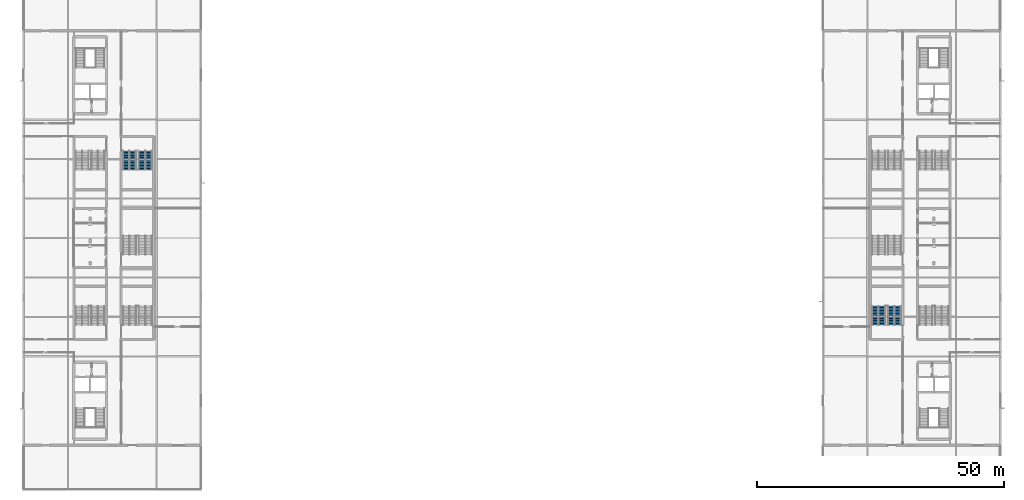
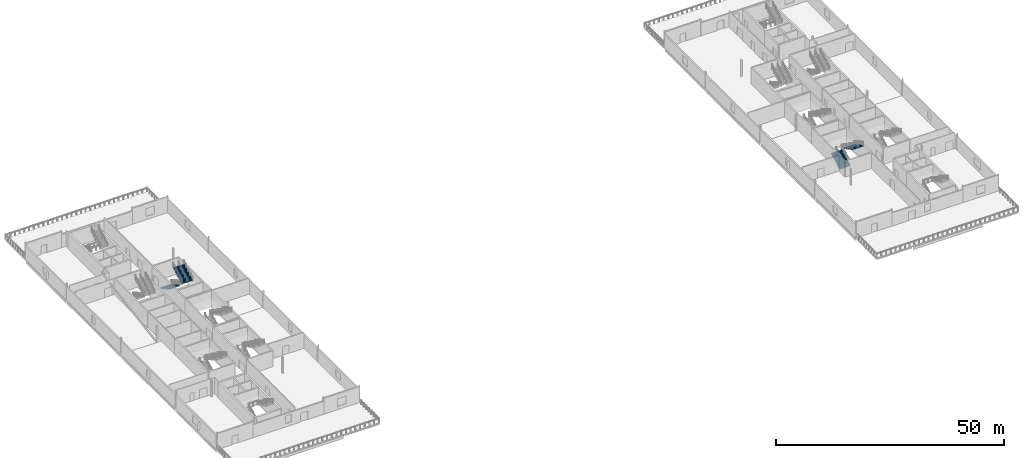
# One storey, part 20 of 28: 4 stair flights, 2 elements without a shape of their own.
"""IFC4 building model written with IfcOpenShell, lengths in metres."""

from ifc_helpers import new_model, si_unit, direction, frame, origin, place, context, subcontext, project, spatial, polygons, material, type_object, element, aggregate, save


model = new_model("IFC4")

# Units and contexts
model_context = context("Model", 3, precision=1e-05, world=origin(), true_north=direction((0.0, 1.0)))
body_context = subcontext(model_context, "Body", "Model", "MODEL_VIEW")
ifc_project = project(units=[si_unit("LENGTHUNIT", "METRE"), si_unit("AREAUNIT", "SQUARE_METRE"), si_unit("VOLUMEUNIT", "CUBIC_METRE"), si_unit("PLANEANGLEUNIT", "RADIAN"), si_unit("MASSUNIT", "GRAM", prefix="KILO")], contexts=[model_context])

# Site, building, storey
site_placement = place(None, origin())
site = spatial("IfcSite", under=ifc_project, at=site_placement, CompositionType="ELEMENT")
building_placement = place(site_placement, origin())
building = spatial("IfcBuilding", under=site, at=building_placement, Name="Kisiwana Market Hall", CompositionType="ELEMENT")
storey_placement = place(building_placement, frame((0.0, 0.0, 49.5)))
storey = spatial("IfcBuildingStorey", under=building, at=storey_placement, Name="L11", CompositionType="ELEMENT", Elevation=49.5)

# Stair, stair flights
ifc_material_1 = material(Name="Concrete C32/40", Category="concrete")
stair_type = type_object("IfcStairType", Name="ST-ESC-4500", PredefinedType="TWO_STRAIGHT_RUN_STAIR", material=ifc_material_1)
stair_1_placement = place(storey_placement, origin())
stair_1 = element("IfcStair", 1, at=stair_1_placement, inside=storey, type_object=stair_type, Name="Escape stair ST-E7-L11", PredefinedType="TWO_STRAIGHT_RUN_STAIR")
ifc_material_2 = material(Name="Concrete C32/40", Category="concrete")
stair_flight_type = type_object("IfcStairFlightType", Name="SF-ESC-4500", PredefinedType="STRAIGHT", material=ifc_material_2)
stair_flight_1_placement = place(storey_placement, frame((173.2900390625, 42.360107421875, 0.0), z_axis=(0.0, 0.0, 1.0), x_axis=(0.0, 1.0, 0.0)))
stair_flight_1 = element("IfcStairFlight", 2, at=stair_flight_1_placement, type_object=stair_flight_type, Name="ST-E7-L11 flight 1", NumberOfRisers=14, NumberOfTreads=13, PredefinedType="STRAIGHT", RiserHeight=0.160714, TreadLength=0.295, context=body_context, shape_type="Tessellation", body=[
    polygons([(0.0, -1.380127, 0.0), (0.0, -0.690125, 0.0), (0.0, -0.000122, 0.0), (0.0, 0.68988, 0.0), (0.0, 1.379883, 0.0), (0.0, -1.380127, 0.160645), (0.0, -0.690125, 0.160645), (0.0, -0.000122, 0.160645), (0.0, 0.68988, 0.160645), (0.0, 1.379883, 0.160645), (0.294922, -1.380127, 0.160645), (0.294922, -0.690125, 0.160645), (0.294922, -0.000122, 0.160645), (0.294922, 0.68988, 0.160645), (0.294922, 1.379883, 0.160645), (0.294922, -1.380127, 0.321533), (0.294922, -0.690125, 0.321533), (0.294922, -0.000122, 0.321533), (0.294922, 0.68988, 0.321533), (0.294922, 1.379883, 0.321533), (0.590088, -1.380127, 0.321533), (0.590088, -0.690125, 0.321533), (0.590088, -0.000122, 0.321533), (0.590088, 0.68988, 0.321533), (0.590088, 1.379883, 0.321533), (0.590088, -1.380127, 0.482178), (0.590088, -0.690125, 0.482178), (0.590088, -0.000122, 0.482178), (0.590088, 0.68988, 0.482178), (0.590088, 1.379883, 0.482178), (0.88501, -1.380127, 0.482178), (0.88501, -0.690125, 0.482178), (0.88501, -0.000122, 0.482178), (0.88501, 0.68988, 0.482178), (0.88501, 1.379883, 0.482178), (0.88501, -1.380127, 0.642822), (0.88501, -0.690125, 0.642822), (0.88501, -0.000122, 0.642822), (0.88501, 0.68988, 0.642822), (0.88501, 1.379883, 0.642822), (1.179932, -1.380127, 0.642822), (1.179932, -0.690125, 0.642822), (1.179932, -0.000122, 0.642822), (1.179932, 0.68988, 0.642822), (1.179932, 1.379883, 0.642822), (1.179932, -1.380127, 0.803467), (1.179932, -0.690125, 0.803467), (1.179932, -0.000122, 0.803467), (1.179932, 0.68988, 0.803467), (1.179932, 1.379883, 0.803467), (1.475098, -1.380127, 0.803467), (1.475098, -0.690125, 0.803467), (1.475098, -0.000122, 0.803467), (1.475098, 0.68988, 0.803467), (1.475098, 1.379883, 0.803467), (1.475098, -1.380127, 0.964355), (1.475098, -0.690125, 0.964355), (1.475098, -0.000122, 0.964355), (1.475098, 0.68988, 0.964355), (1.475098, 1.379883, 0.964355), (1.77002, -1.380127, 0.964355), (1.77002, -0.690125, 0.964355), (1.77002, -0.000122, 0.964355), (1.77002, 0.68988, 0.964355), (1.77002, 1.379883, 0.964355), (1.77002, -1.380127, 1.125), (1.77002, -0.690125, 1.125), (1.77002, -0.000122, 1.125), (1.77002, 0.68988, 1.125), (1.77002, 1.379883, 1.125), (2.064941, -1.380127, 1.125), (2.064941, -0.690125, 1.125), (2.064941, -0.000122, 1.125), (2.064941, 0.68988, 1.125), (2.064941, 1.379883, 1.125), (2.064941, -1.380127, 1.285645), (2.064941, -0.690125, 1.285645), (2.064941, -0.000122, 1.285645), (2.064941, 0.68988, 1.285645), (2.064941, 1.379883, 1.285645), (2.360107, -1.380127, 1.285645), (2.360107, -0.690125, 1.285645), (2.360107, -0.000122, 1.285645), (2.360107, 0.68988, 1.285645), (2.360107, 1.379883, 1.285645), (2.360107, -1.380127, 1.446533), (2.360107, -0.690125, 1.446533), (2.360107, -0.000122, 1.446533), (2.360107, 0.68988, 1.446533), (2.360107, 1.379883, 1.446533), (2.655029, -1.380127, 1.446533), (2.655029, -0.690125, 1.446533), (2.655029, -0.000122, 1.446533), (2.655029, 0.68988, 1.446533), (2.655029, 1.379883, 1.446533), (2.655029, -1.380127, 1.607178), (2.655029, -0.690125, 1.607178), (2.655029, -0.000122, 1.607178), (2.655029, 0.68988, 1.607178), (2.655029, 1.379883, 1.607178), (2.949951, -1.380127, 1.607178), (2.949951, -0.690125, 1.607178), (2.949951, -0.000122, 1.607178), (2.949951, 0.68988, 1.607178), (2.949951, 1.379883, 1.607178), (2.949951, -1.380127, 1.767822), (2.949951, -0.690125, 1.767822), (2.949951, -0.000122, 1.767822), (2.949951, 0.68988, 1.767822), (2.949951, 1.379883, 1.767822), (3.245117, -1.380127, 1.767822), (3.245117, -0.690125, 1.767822), (3.245117, -0.000122, 1.767822), (3.245117, 0.68988, 1.767822), (3.245117, 1.379883, 1.767822), (3.245117, -1.380127, 1.928467), (3.245117, -0.690125, 1.928467), (3.245117, -0.000122, 1.928467), (3.245117, 0.68988, 1.928467), (3.245117, 1.379883, 1.928467), (3.540039, -1.380127, 1.928467), (3.540039, -0.690125, 1.928467), (3.540039, -0.000122, 1.928467), (3.540039, 0.68988, 1.928467), (3.540039, 1.379883, 1.928467), (3.540039, -1.380127, 2.089355), (3.540039, -0.690125, 2.089355), (3.540039, -0.000122, 2.089355), (3.540039, 0.68988, 2.089355), (3.540039, 1.379883, 2.089355), (3.834961, -1.380127, 2.089355), (3.834961, -0.690125, 2.089355), (3.834961, -0.000122, 2.089355), (3.834961, 0.68988, 2.089355), (3.834961, 1.379883, 2.089355), (3.834961, -1.380127, 1.884277), (3.834961, -0.690125, 1.884277), (3.834961, -0.000122, 1.884277), (3.834961, 0.68988, 1.884277), (3.834961, 1.379883, 1.884277), (0.376221, -1.380127, 0.0), (0.376221, -0.690125, 0.0), (0.376221, -0.000122, 0.0), (0.376221, 0.68988, 0.0), (0.376221, 1.379883, 0.0)], [[[1, 6, 7, 2]], [[2, 7, 8, 3]], [[3, 8, 9, 4]], [[4, 9, 10, 5]], [[6, 11, 12, 7]], [[7, 12, 13, 8]], [[8, 13, 14, 9]], [[9, 14, 15, 10]], [[11, 16, 17, 12]], [[12, 17, 18, 13]], [[13, 18, 19, 14]], [[14, 19, 20, 15]], [[16, 21, 22, 17]], [[17, 22, 23, 18]], [[18, 23, 24, 19]], [[19, 24, 25, 20]], [[21, 26, 27, 22]], [[22, 27, 28, 23]], [[23, 28, 29, 24]], [[24, 29, 30, 25]], [[26, 31, 32, 27]], [[27, 32, 33, 28]], [[28, 33, 34, 29]], [[29, 34, 35, 30]], [[31, 36, 37, 32]], [[32, 37, 38, 33]], [[33, 38, 39, 34]], [[34, 39, 40, 35]], [[36, 41, 42, 37]], [[37, 42, 43, 38]], [[38, 43, 44, 39]], [[39, 44, 45, 40]], [[41, 46, 47, 42]], [[42, 47, 48, 43]], [[43, 48, 49, 44]], [[44, 49, 50, 45]], [[46, 51, 52, 47]], [[47, 52, 53, 48]], [[48, 53, 54, 49]], [[49, 54, 55, 50]], [[51, 56, 57, 52]], [[52, 57, 58, 53]], [[53, 58, 59, 54]], [[54, 59, 60, 55]], [[56, 61, 62, 57]], [[57, 62, 63, 58]], [[58, 63, 64, 59]], [[59, 64, 65, 60]], [[61, 66, 67, 62]], [[62, 67, 68, 63]], [[63, 68, 69, 64]], [[64, 69, 70, 65]], [[66, 71, 72, 67]], [[67, 72, 73, 68]], [[68, 73, 74, 69]], [[69, 74, 75, 70]], [[71, 76, 77, 72]], [[72, 77, 78, 73]], [[73, 78, 79, 74]], [[74, 79, 80, 75]], [[76, 81, 82, 77]], [[77, 82, 83, 78]], [[78, 83, 84, 79]], [[79, 84, 85, 80]], [[81, 86, 87, 82]], [[82, 87, 88, 83]], [[83, 88, 89, 84]], [[84, 89, 90, 85]], [[86, 91, 92, 87]], [[87, 92, 93, 88]], [[88, 93, 94, 89]], [[89, 94, 95, 90]], [[91, 96, 97, 92]], [[92, 97, 98, 93]], [[93, 98, 99, 94]], [[94, 99, 100, 95]], [[96, 101, 102, 97]], [[97, 102, 103, 98]], [[98, 103, 104, 99]], [[99, 104, 105, 100]], [[101, 106, 107, 102]], [[102, 107, 108, 103]], [[103, 108, 109, 104]], [[104, 109, 110, 105]], [[106, 111, 112, 107]], [[107, 112, 113, 108]], [[108, 113, 114, 109]], [[109, 114, 115, 110]], [[111, 116, 117, 112]], [[112, 117, 118, 113]], [[113, 118, 119, 114]], [[114, 119, 120, 115]], [[116, 121, 122, 117]], [[117, 122, 123, 118]], [[118, 123, 124, 119]], [[119, 124, 125, 120]], [[121, 126, 127, 122]], [[122, 127, 128, 123]], [[123, 128, 129, 124]], [[124, 129, 130, 125]], [[126, 131, 132, 127]], [[127, 132, 133, 128]], [[128, 133, 134, 129]], [[129, 134, 135, 130]], [[131, 136, 137, 132]], [[132, 137, 138, 133]], [[133, 138, 139, 134]], [[134, 139, 140, 135]], [[136, 141, 142, 137]], [[137, 142, 143, 138]], [[138, 143, 144, 139]], [[139, 144, 145, 140]], [[141, 1, 2, 142]], [[142, 2, 3, 143]], [[143, 3, 4, 144]], [[144, 4, 5, 145]], [[141, 136, 131, 126, 121, 116, 111, 106, 101, 96, 91, 86, 81, 76, 71, 66, 61, 56, 51, 46, 41, 36, 31, 26, 21, 16, 11, 6, 1]], [[5, 10, 15, 20, 25, 30, 35, 40, 45, 50, 55, 60, 65, 70, 75, 80, 85, 90, 95, 100, 105, 110, 115, 120, 125, 130, 135, 140, 145]]], closed=True),
])
stair_flight_2_placement = place(storey_placement, frame((176.510009765625, 46.195068359375, 2.25), z_axis=(0.0, 0.0, 1.0), x_axis=(0.0, -1.0, 0.0)))
stair_flight_2 = element("IfcStairFlight", 3, at=stair_flight_2_placement, type_object=stair_flight_type, Name="ST-E7-L11 flight 2", NumberOfRisers=14, NumberOfTreads=13, PredefinedType="STRAIGHT", RiserHeight=0.160714, TreadLength=0.295, context=body_context, shape_type="Tessellation", body=[
    polygons([(0.0, -1.380127, 0.0), (0.0, -0.690125, 0.0), (0.0, -0.000122, 0.0), (0.0, 0.68988, 0.0), (0.0, 1.379883, 0.0), (0.0, -1.380127, 0.160645), (0.0, -0.690125, 0.160645), (0.0, -0.000122, 0.160645), (0.0, 0.68988, 0.160645), (0.0, 1.379883, 0.160645), (0.294922, -1.380127, 0.160645), (0.294922, -0.690125, 0.160645), (0.294922, -0.000122, 0.160645), (0.294922, 0.68988, 0.160645), (0.294922, 1.379883, 0.160645), (0.294922, -1.380127, 0.321533), (0.294922, -0.690125, 0.321533), (0.294922, -0.000122, 0.321533), (0.294922, 0.68988, 0.321533), (0.294922, 1.379883, 0.321533), (0.590088, -1.380127, 0.321533), (0.590088, -0.690125, 0.321533), (0.590088, -0.000122, 0.321533), (0.590088, 0.68988, 0.321533), (0.590088, 1.379883, 0.321533), (0.590088, -1.380127, 0.482178), (0.590088, -0.690125, 0.482178), (0.590088, -0.000122, 0.482178), (0.590088, 0.68988, 0.482178), (0.590088, 1.379883, 0.482178), (0.88501, -1.380127, 0.482178), (0.88501, -0.690125, 0.482178), (0.88501, -0.000122, 0.482178), (0.88501, 0.68988, 0.482178), (0.88501, 1.379883, 0.482178), (0.88501, -1.380127, 0.642822), (0.88501, -0.690125, 0.642822), (0.88501, -0.000122, 0.642822), (0.88501, 0.68988, 0.642822), (0.88501, 1.379883, 0.642822), (1.179932, -1.380127, 0.642822), (1.179932, -0.690125, 0.642822), (1.179932, -0.000122, 0.642822), (1.179932, 0.68988, 0.642822), (1.179932, 1.379883, 0.642822), (1.179932, -1.380127, 0.803467), (1.179932, -0.690125, 0.803467), (1.179932, -0.000122, 0.803467), (1.179932, 0.68988, 0.803467), (1.179932, 1.379883, 0.803467), (1.475098, -1.380127, 0.803467), (1.475098, -0.690125, 0.803467), (1.475098, -0.000122, 0.803467), (1.475098, 0.68988, 0.803467), (1.475098, 1.379883, 0.803467), (1.475098, -1.380127, 0.964355), (1.475098, -0.690125, 0.964355), (1.475098, -0.000122, 0.964355), (1.475098, 0.68988, 0.964355), (1.475098, 1.379883, 0.964355), (1.77002, -1.380127, 0.964355), (1.77002, -0.690125, 0.964355), (1.77002, -0.000122, 0.964355), (1.77002, 0.68988, 0.964355), (1.77002, 1.379883, 0.964355), (1.77002, -1.380127, 1.125), (1.77002, -0.690125, 1.125), (1.77002, -0.000122, 1.125), (1.77002, 0.68988, 1.125), (1.77002, 1.379883, 1.125), (2.064941, -1.380127, 1.125), (2.064941, -0.690125, 1.125), (2.064941, -0.000122, 1.125), (2.064941, 0.68988, 1.125), (2.064941, 1.379883, 1.125), (2.064941, -1.380127, 1.285645), (2.064941, -0.690125, 1.285645), (2.064941, -0.000122, 1.285645), (2.064941, 0.68988, 1.285645), (2.064941, 1.379883, 1.285645), (2.360107, -1.380127, 1.285645), (2.360107, -0.690125, 1.285645), (2.360107, -0.000122, 1.285645), (2.360107, 0.68988, 1.285645), (2.360107, 1.379883, 1.285645), (2.360107, -1.380127, 1.446533), (2.360107, -0.690125, 1.446533), (2.360107, -0.000122, 1.446533), (2.360107, 0.68988, 1.446533), (2.360107, 1.379883, 1.446533), (2.655029, -1.380127, 1.446533), (2.655029, -0.690125, 1.446533), (2.655029, -0.000122, 1.446533), (2.655029, 0.68988, 1.446533), (2.655029, 1.379883, 1.446533), (2.655029, -1.380127, 1.607178), (2.655029, -0.690125, 1.607178), (2.655029, -0.000122, 1.607178), (2.655029, 0.68988, 1.607178), (2.655029, 1.379883, 1.607178), (2.949951, -1.380127, 1.607178), (2.949951, -0.690125, 1.607178), (2.949951, -0.000122, 1.607178), (2.949951, 0.68988, 1.607178), (2.949951, 1.379883, 1.607178), (2.949951, -1.380127, 1.767822), (2.949951, -0.690125, 1.767822), (2.949951, -0.000122, 1.767822), (2.949951, 0.68988, 1.767822), (2.949951, 1.379883, 1.767822), (3.245117, -1.380127, 1.767822), (3.245117, -0.690125, 1.767822), (3.245117, -0.000122, 1.767822), (3.245117, 0.68988, 1.767822), (3.245117, 1.379883, 1.767822), (3.245117, -1.380127, 1.928467), (3.245117, -0.690125, 1.928467), (3.245117, -0.000122, 1.928467), (3.245117, 0.68988, 1.928467), (3.245117, 1.379883, 1.928467), (3.540039, -1.380127, 1.928467), (3.540039, -0.690125, 1.928467), (3.540039, -0.000122, 1.928467), (3.540039, 0.68988, 1.928467), (3.540039, 1.379883, 1.928467), (3.540039, -1.380127, 2.089355), (3.540039, -0.690125, 2.089355), (3.540039, -0.000122, 2.089355), (3.540039, 0.68988, 2.089355), (3.540039, 1.379883, 2.089355), (3.834961, -1.380127, 2.089355), (3.834961, -0.690125, 2.089355), (3.834961, -0.000122, 2.089355), (3.834961, 0.68988, 2.089355), (3.834961, 1.379883, 2.089355), (3.834961, -1.380127, 1.884277), (3.834961, -0.690125, 1.884277), (3.834961, -0.000122, 1.884277), (3.834961, 0.68988, 1.884277), (3.834961, 1.379883, 1.884277), (0.376221, -1.380127, 0.0), (0.376221, -0.690125, 0.0), (0.376221, -0.000122, 0.0), (0.376221, 0.68988, 0.0), (0.376221, 1.379883, 0.0)], [[[1, 6, 7, 2]], [[2, 7, 8, 3]], [[3, 8, 9, 4]], [[4, 9, 10, 5]], [[6, 11, 12, 7]], [[7, 12, 13, 8]], [[8, 13, 14, 9]], [[9, 14, 15, 10]], [[11, 16, 17, 12]], [[12, 17, 18, 13]], [[13, 18, 19, 14]], [[14, 19, 20, 15]], [[16, 21, 22, 17]], [[17, 22, 23, 18]], [[18, 23, 24, 19]], [[19, 24, 25, 20]], [[21, 26, 27, 22]], [[22, 27, 28, 23]], [[23, 28, 29, 24]], [[24, 29, 30, 25]], [[26, 31, 32, 27]], [[27, 32, 33, 28]], [[28, 33, 34, 29]], [[29, 34, 35, 30]], [[31, 36, 37, 32]], [[32, 37, 38, 33]], [[33, 38, 39, 34]], [[34, 39, 40, 35]], [[36, 41, 42, 37]], [[37, 42, 43, 38]], [[38, 43, 44, 39]], [[39, 44, 45, 40]], [[41, 46, 47, 42]], [[42, 47, 48, 43]], [[43, 48, 49, 44]], [[44, 49, 50, 45]], [[46, 51, 52, 47]], [[47, 52, 53, 48]], [[48, 53, 54, 49]], [[49, 54, 55, 50]], [[51, 56, 57, 52]], [[52, 57, 58, 53]], [[53, 58, 59, 54]], [[54, 59, 60, 55]], [[56, 61, 62, 57]], [[57, 62, 63, 58]], [[58, 63, 64, 59]], [[59, 64, 65, 60]], [[61, 66, 67, 62]], [[62, 67, 68, 63]], [[63, 68, 69, 64]], [[64, 69, 70, 65]], [[66, 71, 72, 67]], [[67, 72, 73, 68]], [[68, 73, 74, 69]], [[69, 74, 75, 70]], [[71, 76, 77, 72]], [[72, 77, 78, 73]], [[73, 78, 79, 74]], [[74, 79, 80, 75]], [[76, 81, 82, 77]], [[77, 82, 83, 78]], [[78, 83, 84, 79]], [[79, 84, 85, 80]], [[81, 86, 87, 82]], [[82, 87, 88, 83]], [[83, 88, 89, 84]], [[84, 89, 90, 85]], [[86, 91, 92, 87]], [[87, 92, 93, 88]], [[88, 93, 94, 89]], [[89, 94, 95, 90]], [[91, 96, 97, 92]], [[92, 97, 98, 93]], [[93, 98, 99, 94]], [[94, 99, 100, 95]], [[96, 101, 102, 97]], [[97, 102, 103, 98]], [[98, 103, 104, 99]], [[99, 104, 105, 100]], [[101, 106, 107, 102]], [[102, 107, 108, 103]], [[103, 108, 109, 104]], [[104, 109, 110, 105]], [[106, 111, 112, 107]], [[107, 112, 113, 108]], [[108, 113, 114, 109]], [[109, 114, 115, 110]], [[111, 116, 117, 112]], [[112, 117, 118, 113]], [[113, 118, 119, 114]], [[114, 119, 120, 115]], [[116, 121, 122, 117]], [[117, 122, 123, 118]], [[118, 123, 124, 119]], [[119, 124, 125, 120]], [[121, 126, 127, 122]], [[122, 127, 128, 123]], [[123, 128, 129, 124]], [[124, 129, 130, 125]], [[126, 131, 132, 127]], [[127, 132, 133, 128]], [[128, 133, 134, 129]], [[129, 134, 135, 130]], [[131, 136, 137, 132]], [[132, 137, 138, 133]], [[133, 138, 139, 134]], [[134, 139, 140, 135]], [[136, 141, 142, 137]], [[137, 142, 143, 138]], [[138, 143, 144, 139]], [[139, 144, 145, 140]], [[141, 1, 2, 142]], [[142, 2, 3, 143]], [[143, 3, 4, 144]], [[144, 4, 5, 145]], [[141, 136, 131, 126, 121, 116, 111, 106, 101, 96, 91, 86, 81, 76, 71, 66, 61, 56, 51, 46, 41, 36, 31, 26, 21, 16, 11, 6, 1]], [[5, 10, 15, 20, 25, 30, 35, 40, 45, 50, 55, 60, 65, 70, 75, 80, 85, 90, 95, 100, 105, 110, 115, 120, 125, 130, 135, 140, 145]]], closed=True),
])
aggregate(stair_1, [stair_flight_1, stair_flight_2])

stair_2_placement = place(storey_placement, origin())
stair_2 = element("IfcStair", 4, at=stair_2_placement, inside=storey, type_object=stair_type, Name="Escape stair ST-W8-L11", PredefinedType="TWO_STRAIGHT_RUN_STAIR")
stair_flight_3_placement = place(storey_placement, frame((21.489990234375, 77.639892578125, 0.0), z_axis=(0.0, 0.0, 1.0), x_axis=(0.0, -1.0, 0.0)))
stair_flight_3 = element("IfcStairFlight", 5, at=stair_flight_3_placement, type_object=stair_flight_type, Name="ST-W8-L11 flight 1", NumberOfRisers=14, NumberOfTreads=13, PredefinedType="STRAIGHT", RiserHeight=0.160714, TreadLength=0.295, context=body_context, shape_type="Tessellation", body=[
    polygons([(0.0, -1.380127, 0.0), (0.0, -0.690125, 0.0), (0.0, -0.000122, 0.0), (0.0, 0.68988, 0.0), (0.0, 1.379883, 0.0), (0.0, -1.380127, 0.160645), (0.0, -0.690125, 0.160645), (0.0, -0.000122, 0.160645), (0.0, 0.68988, 0.160645), (0.0, 1.379883, 0.160645), (0.294922, -1.380127, 0.160645), (0.294922, -0.690125, 0.160645), (0.294922, -0.000122, 0.160645), (0.294922, 0.68988, 0.160645), (0.294922, 1.379883, 0.160645), (0.294922, -1.380127, 0.321533), (0.294922, -0.690125, 0.321533), (0.294922, -0.000122, 0.321533), (0.294922, 0.68988, 0.321533), (0.294922, 1.379883, 0.321533), (0.590088, -1.380127, 0.321533), (0.590088, -0.690125, 0.321533), (0.590088, -0.000122, 0.321533), (0.590088, 0.68988, 0.321533), (0.590088, 1.379883, 0.321533), (0.590088, -1.380127, 0.482178), (0.590088, -0.690125, 0.482178), (0.590088, -0.000122, 0.482178), (0.590088, 0.68988, 0.482178), (0.590088, 1.379883, 0.482178), (0.88501, -1.380127, 0.482178), (0.88501, -0.690125, 0.482178), (0.88501, -0.000122, 0.482178), (0.88501, 0.68988, 0.482178), (0.88501, 1.379883, 0.482178), (0.88501, -1.380127, 0.642822), (0.88501, -0.690125, 0.642822), (0.88501, -0.000122, 0.642822), (0.88501, 0.68988, 0.642822), (0.88501, 1.379883, 0.642822), (1.179932, -1.380127, 0.642822), (1.179932, -0.690125, 0.642822), (1.179932, -0.000122, 0.642822), (1.179932, 0.68988, 0.642822), (1.179932, 1.379883, 0.642822), (1.179932, -1.380127, 0.803467), (1.179932, -0.690125, 0.803467), (1.179932, -0.000122, 0.803467), (1.179932, 0.68988, 0.803467), (1.179932, 1.379883, 0.803467), (1.475098, -1.380127, 0.803467), (1.475098, -0.690125, 0.803467), (1.475098, -0.000122, 0.803467), (1.475098, 0.68988, 0.803467), (1.475098, 1.379883, 0.803467), (1.475098, -1.380127, 0.964355), (1.475098, -0.690125, 0.964355), (1.475098, -0.000122, 0.964355), (1.475098, 0.68988, 0.964355), (1.475098, 1.379883, 0.964355), (1.77002, -1.380127, 0.964355), (1.77002, -0.690125, 0.964355), (1.77002, -0.000122, 0.964355), (1.77002, 0.68988, 0.964355), (1.77002, 1.379883, 0.964355), (1.77002, -1.380127, 1.125), (1.77002, -0.690125, 1.125), (1.77002, -0.000122, 1.125), (1.77002, 0.68988, 1.125), (1.77002, 1.379883, 1.125), (2.064941, -1.380127, 1.125), (2.064941, -0.690125, 1.125), (2.064941, -0.000122, 1.125), (2.064941, 0.68988, 1.125), (2.064941, 1.379883, 1.125), (2.064941, -1.380127, 1.285645), (2.064941, -0.690125, 1.285645), (2.064941, -0.000122, 1.285645), (2.064941, 0.68988, 1.285645), (2.064941, 1.379883, 1.285645), (2.360107, -1.380127, 1.285645), (2.360107, -0.690125, 1.285645), (2.360107, -0.000122, 1.285645), (2.360107, 0.68988, 1.285645), (2.360107, 1.379883, 1.285645), (2.360107, -1.380127, 1.446533), (2.360107, -0.690125, 1.446533), (2.360107, -0.000122, 1.446533), (2.360107, 0.68988, 1.446533), (2.360107, 1.379883, 1.446533), (2.655029, -1.380127, 1.446533), (2.655029, -0.690125, 1.446533), (2.655029, -0.000122, 1.446533), (2.655029, 0.68988, 1.446533), (2.655029, 1.379883, 1.446533), (2.655029, -1.380127, 1.607178), (2.655029, -0.690125, 1.607178), (2.655029, -0.000122, 1.607178), (2.655029, 0.68988, 1.607178), (2.655029, 1.379883, 1.607178), (2.949951, -1.380127, 1.607178), (2.949951, -0.690125, 1.607178), (2.949951, -0.000122, 1.607178), (2.949951, 0.68988, 1.607178), (2.949951, 1.379883, 1.607178), (2.949951, -1.380127, 1.767822), (2.949951, -0.690125, 1.767822), (2.949951, -0.000122, 1.767822), (2.949951, 0.68988, 1.767822), (2.949951, 1.379883, 1.767822), (3.245117, -1.380127, 1.767822), (3.245117, -0.690125, 1.767822), (3.245117, -0.000122, 1.767822), (3.245117, 0.68988, 1.767822), (3.245117, 1.379883, 1.767822), (3.245117, -1.380127, 1.928467), (3.245117, -0.690125, 1.928467), (3.245117, -0.000122, 1.928467), (3.245117, 0.68988, 1.928467), (3.245117, 1.379883, 1.928467), (3.540039, -1.380127, 1.928467), (3.540039, -0.690125, 1.928467), (3.540039, -0.000122, 1.928467), (3.540039, 0.68988, 1.928467), (3.540039, 1.379883, 1.928467), (3.540039, -1.380127, 2.089355), (3.540039, -0.690125, 2.089355), (3.540039, -0.000122, 2.089355), (3.540039, 0.68988, 2.089355), (3.540039, 1.379883, 2.089355), (3.834961, -1.380127, 2.089355), (3.834961, -0.690125, 2.089355), (3.834961, -0.000122, 2.089355), (3.834961, 0.68988, 2.089355), (3.834961, 1.379883, 2.089355), (3.834961, -1.380127, 1.884277), (3.834961, -0.690125, 1.884277), (3.834961, -0.000122, 1.884277), (3.834961, 0.68988, 1.884277), (3.834961, 1.379883, 1.884277), (0.376221, -1.380127, 0.0), (0.376221, -0.690125, 0.0), (0.376221, -0.000122, 0.0), (0.376221, 0.68988, 0.0), (0.376221, 1.379883, 0.0)], [[[1, 6, 7, 2]], [[2, 7, 8, 3]], [[3, 8, 9, 4]], [[4, 9, 10, 5]], [[6, 11, 12, 7]], [[7, 12, 13, 8]], [[8, 13, 14, 9]], [[9, 14, 15, 10]], [[11, 16, 17, 12]], [[12, 17, 18, 13]], [[13, 18, 19, 14]], [[14, 19, 20, 15]], [[16, 21, 22, 17]], [[17, 22, 23, 18]], [[18, 23, 24, 19]], [[19, 24, 25, 20]], [[21, 26, 27, 22]], [[22, 27, 28, 23]], [[23, 28, 29, 24]], [[24, 29, 30, 25]], [[26, 31, 32, 27]], [[27, 32, 33, 28]], [[28, 33, 34, 29]], [[29, 34, 35, 30]], [[31, 36, 37, 32]], [[32, 37, 38, 33]], [[33, 38, 39, 34]], [[34, 39, 40, 35]], [[36, 41, 42, 37]], [[37, 42, 43, 38]], [[38, 43, 44, 39]], [[39, 44, 45, 40]], [[41, 46, 47, 42]], [[42, 47, 48, 43]], [[43, 48, 49, 44]], [[44, 49, 50, 45]], [[46, 51, 52, 47]], [[47, 52, 53, 48]], [[48, 53, 54, 49]], [[49, 54, 55, 50]], [[51, 56, 57, 52]], [[52, 57, 58, 53]], [[53, 58, 59, 54]], [[54, 59, 60, 55]], [[56, 61, 62, 57]], [[57, 62, 63, 58]], [[58, 63, 64, 59]], [[59, 64, 65, 60]], [[61, 66, 67, 62]], [[62, 67, 68, 63]], [[63, 68, 69, 64]], [[64, 69, 70, 65]], [[66, 71, 72, 67]], [[67, 72, 73, 68]], [[68, 73, 74, 69]], [[69, 74, 75, 70]], [[71, 76, 77, 72]], [[72, 77, 78, 73]], [[73, 78, 79, 74]], [[74, 79, 80, 75]], [[76, 81, 82, 77]], [[77, 82, 83, 78]], [[78, 83, 84, 79]], [[79, 84, 85, 80]], [[81, 86, 87, 82]], [[82, 87, 88, 83]], [[83, 88, 89, 84]], [[84, 89, 90, 85]], [[86, 91, 92, 87]], [[87, 92, 93, 88]], [[88, 93, 94, 89]], [[89, 94, 95, 90]], [[91, 96, 97, 92]], [[92, 97, 98, 93]], [[93, 98, 99, 94]], [[94, 99, 100, 95]], [[96, 101, 102, 97]], [[97, 102, 103, 98]], [[98, 103, 104, 99]], [[99, 104, 105, 100]], [[101, 106, 107, 102]], [[102, 107, 108, 103]], [[103, 108, 109, 104]], [[104, 109, 110, 105]], [[106, 111, 112, 107]], [[107, 112, 113, 108]], [[108, 113, 114, 109]], [[109, 114, 115, 110]], [[111, 116, 117, 112]], [[112, 117, 118, 113]], [[113, 118, 119, 114]], [[114, 119, 120, 115]], [[116, 121, 122, 117]], [[117, 122, 123, 118]], [[118, 123, 124, 119]], [[119, 124, 125, 120]], [[121, 126, 127, 122]], [[122, 127, 128, 123]], [[123, 128, 129, 124]], [[124, 129, 130, 125]], [[126, 131, 132, 127]], [[127, 132, 133, 128]], [[128, 133, 134, 129]], [[129, 134, 135, 130]], [[131, 136, 137, 132]], [[132, 137, 138, 133]], [[133, 138, 139, 134]], [[134, 139, 140, 135]], [[136, 141, 142, 137]], [[137, 142, 143, 138]], [[138, 143, 144, 139]], [[139, 144, 145, 140]], [[141, 1, 2, 142]], [[142, 2, 3, 143]], [[143, 3, 4, 144]], [[144, 4, 5, 145]], [[141, 136, 131, 126, 121, 116, 111, 106, 101, 96, 91, 86, 81, 76, 71, 66, 61, 56, 51, 46, 41, 36, 31, 26, 21, 16, 11, 6, 1]], [[5, 10, 15, 20, 25, 30, 35, 40, 45, 50, 55, 60, 65, 70, 75, 80, 85, 90, 95, 100, 105, 110, 115, 120, 125, 130, 135, 140, 145]]], closed=True),
])
stair_flight_4_placement = place(storey_placement, frame((24.7099609375, 73.804931640625, 2.25), z_axis=(0.0, 0.0, 1.0), x_axis=(0.0, 1.0, 0.0)))
stair_flight_4 = element("IfcStairFlight", 6, at=stair_flight_4_placement, type_object=stair_flight_type, Name="ST-W8-L11 flight 2", NumberOfRisers=14, NumberOfTreads=13, PredefinedType="STRAIGHT", RiserHeight=0.160714, TreadLength=0.295, context=body_context, shape_type="Tessellation", body=[
    polygons([(0.0, -1.380127, 0.0), (0.0, -0.690125, 0.0), (0.0, -0.000122, 0.0), (0.0, 0.68988, 0.0), (0.0, 1.379883, 0.0), (0.0, -1.380127, 0.160645), (0.0, -0.690125, 0.160645), (0.0, -0.000122, 0.160645), (0.0, 0.68988, 0.160645), (0.0, 1.379883, 0.160645), (0.294922, -1.380127, 0.160645), (0.294922, -0.690125, 0.160645), (0.294922, -0.000122, 0.160645), (0.294922, 0.68988, 0.160645), (0.294922, 1.379883, 0.160645), (0.294922, -1.380127, 0.321533), (0.294922, -0.690125, 0.321533), (0.294922, -0.000122, 0.321533), (0.294922, 0.68988, 0.321533), (0.294922, 1.379883, 0.321533), (0.590088, -1.380127, 0.321533), (0.590088, -0.690125, 0.321533), (0.590088, -0.000122, 0.321533), (0.590088, 0.68988, 0.321533), (0.590088, 1.379883, 0.321533), (0.590088, -1.380127, 0.482178), (0.590088, -0.690125, 0.482178), (0.590088, -0.000122, 0.482178), (0.590088, 0.68988, 0.482178), (0.590088, 1.379883, 0.482178), (0.88501, -1.380127, 0.482178), (0.88501, -0.690125, 0.482178), (0.88501, -0.000122, 0.482178), (0.88501, 0.68988, 0.482178), (0.88501, 1.379883, 0.482178), (0.88501, -1.380127, 0.642822), (0.88501, -0.690125, 0.642822), (0.88501, -0.000122, 0.642822), (0.88501, 0.68988, 0.642822), (0.88501, 1.379883, 0.642822), (1.179932, -1.380127, 0.642822), (1.179932, -0.690125, 0.642822), (1.179932, -0.000122, 0.642822), (1.179932, 0.68988, 0.642822), (1.179932, 1.379883, 0.642822), (1.179932, -1.380127, 0.803467), (1.179932, -0.690125, 0.803467), (1.179932, -0.000122, 0.803467), (1.179932, 0.68988, 0.803467), (1.179932, 1.379883, 0.803467), (1.475098, -1.380127, 0.803467), (1.475098, -0.690125, 0.803467), (1.475098, -0.000122, 0.803467), (1.475098, 0.68988, 0.803467), (1.475098, 1.379883, 0.803467), (1.475098, -1.380127, 0.964355), (1.475098, -0.690125, 0.964355), (1.475098, -0.000122, 0.964355), (1.475098, 0.68988, 0.964355), (1.475098, 1.379883, 0.964355), (1.77002, -1.380127, 0.964355), (1.77002, -0.690125, 0.964355), (1.77002, -0.000122, 0.964355), (1.77002, 0.68988, 0.964355), (1.77002, 1.379883, 0.964355), (1.77002, -1.380127, 1.125), (1.77002, -0.690125, 1.125), (1.77002, -0.000122, 1.125), (1.77002, 0.68988, 1.125), (1.77002, 1.379883, 1.125), (2.064941, -1.380127, 1.125), (2.064941, -0.690125, 1.125), (2.064941, -0.000122, 1.125), (2.064941, 0.68988, 1.125), (2.064941, 1.379883, 1.125), (2.064941, -1.380127, 1.285645), (2.064941, -0.690125, 1.285645), (2.064941, -0.000122, 1.285645), (2.064941, 0.68988, 1.285645), (2.064941, 1.379883, 1.285645), (2.360107, -1.380127, 1.285645), (2.360107, -0.690125, 1.285645), (2.360107, -0.000122, 1.285645), (2.360107, 0.68988, 1.285645), (2.360107, 1.379883, 1.285645), (2.360107, -1.380127, 1.446533), (2.360107, -0.690125, 1.446533), (2.360107, -0.000122, 1.446533), (2.360107, 0.68988, 1.446533), (2.360107, 1.379883, 1.446533), (2.655029, -1.380127, 1.446533), (2.655029, -0.690125, 1.446533), (2.655029, -0.000122, 1.446533), (2.655029, 0.68988, 1.446533), (2.655029, 1.379883, 1.446533), (2.655029, -1.380127, 1.607178), (2.655029, -0.690125, 1.607178), (2.655029, -0.000122, 1.607178), (2.655029, 0.68988, 1.607178), (2.655029, 1.379883, 1.607178), (2.949951, -1.380127, 1.607178), (2.949951, -0.690125, 1.607178), (2.949951, -0.000122, 1.607178), (2.949951, 0.68988, 1.607178), (2.949951, 1.379883, 1.607178), (2.949951, -1.380127, 1.767822), (2.949951, -0.690125, 1.767822), (2.949951, -0.000122, 1.767822), (2.949951, 0.68988, 1.767822), (2.949951, 1.379883, 1.767822), (3.245117, -1.380127, 1.767822), (3.245117, -0.690125, 1.767822), (3.245117, -0.000122, 1.767822), (3.245117, 0.68988, 1.767822), (3.245117, 1.379883, 1.767822), (3.245117, -1.380127, 1.928467), (3.245117, -0.690125, 1.928467), (3.245117, -0.000122, 1.928467), (3.245117, 0.68988, 1.928467), (3.245117, 1.379883, 1.928467), (3.540039, -1.380127, 1.928467), (3.540039, -0.690125, 1.928467), (3.540039, -0.000122, 1.928467), (3.540039, 0.68988, 1.928467), (3.540039, 1.379883, 1.928467), (3.540039, -1.380127, 2.089355), (3.540039, -0.690125, 2.089355), (3.540039, -0.000122, 2.089355), (3.540039, 0.68988, 2.089355), (3.540039, 1.379883, 2.089355), (3.834961, -1.380127, 2.089355), (3.834961, -0.690125, 2.089355), (3.834961, -0.000122, 2.089355), (3.834961, 0.68988, 2.089355), (3.834961, 1.379883, 2.089355), (3.834961, -1.380127, 1.884277), (3.834961, -0.690125, 1.884277), (3.834961, -0.000122, 1.884277), (3.834961, 0.68988, 1.884277), (3.834961, 1.379883, 1.884277), (0.376221, -1.380127, 0.0), (0.376221, -0.690125, 0.0), (0.376221, -0.000122, 0.0), (0.376221, 0.68988, 0.0), (0.376221, 1.379883, 0.0)], [[[1, 6, 7, 2]], [[2, 7, 8, 3]], [[3, 8, 9, 4]], [[4, 9, 10, 5]], [[6, 11, 12, 7]], [[7, 12, 13, 8]], [[8, 13, 14, 9]], [[9, 14, 15, 10]], [[11, 16, 17, 12]], [[12, 17, 18, 13]], [[13, 18, 19, 14]], [[14, 19, 20, 15]], [[16, 21, 22, 17]], [[17, 22, 23, 18]], [[18, 23, 24, 19]], [[19, 24, 25, 20]], [[21, 26, 27, 22]], [[22, 27, 28, 23]], [[23, 28, 29, 24]], [[24, 29, 30, 25]], [[26, 31, 32, 27]], [[27, 32, 33, 28]], [[28, 33, 34, 29]], [[29, 34, 35, 30]], [[31, 36, 37, 32]], [[32, 37, 38, 33]], [[33, 38, 39, 34]], [[34, 39, 40, 35]], [[36, 41, 42, 37]], [[37, 42, 43, 38]], [[38, 43, 44, 39]], [[39, 44, 45, 40]], [[41, 46, 47, 42]], [[42, 47, 48, 43]], [[43, 48, 49, 44]], [[44, 49, 50, 45]], [[46, 51, 52, 47]], [[47, 52, 53, 48]], [[48, 53, 54, 49]], [[49, 54, 55, 50]], [[51, 56, 57, 52]], [[52, 57, 58, 53]], [[53, 58, 59, 54]], [[54, 59, 60, 55]], [[56, 61, 62, 57]], [[57, 62, 63, 58]], [[58, 63, 64, 59]], [[59, 64, 65, 60]], [[61, 66, 67, 62]], [[62, 67, 68, 63]], [[63, 68, 69, 64]], [[64, 69, 70, 65]], [[66, 71, 72, 67]], [[67, 72, 73, 68]], [[68, 73, 74, 69]], [[69, 74, 75, 70]], [[71, 76, 77, 72]], [[72, 77, 78, 73]], [[73, 78, 79, 74]], [[74, 79, 80, 75]], [[76, 81, 82, 77]], [[77, 82, 83, 78]], [[78, 83, 84, 79]], [[79, 84, 85, 80]], [[81, 86, 87, 82]], [[82, 87, 88, 83]], [[83, 88, 89, 84]], [[84, 89, 90, 85]], [[86, 91, 92, 87]], [[87, 92, 93, 88]], [[88, 93, 94, 89]], [[89, 94, 95, 90]], [[91, 96, 97, 92]], [[92, 97, 98, 93]], [[93, 98, 99, 94]], [[94, 99, 100, 95]], [[96, 101, 102, 97]], [[97, 102, 103, 98]], [[98, 103, 104, 99]], [[99, 104, 105, 100]], [[101, 106, 107, 102]], [[102, 107, 108, 103]], [[103, 108, 109, 104]], [[104, 109, 110, 105]], [[106, 111, 112, 107]], [[107, 112, 113, 108]], [[108, 113, 114, 109]], [[109, 114, 115, 110]], [[111, 116, 117, 112]], [[112, 117, 118, 113]], [[113, 118, 119, 114]], [[114, 119, 120, 115]], [[116, 121, 122, 117]], [[117, 122, 123, 118]], [[118, 123, 124, 119]], [[119, 124, 125, 120]], [[121, 126, 127, 122]], [[122, 127, 128, 123]], [[123, 128, 129, 124]], [[124, 129, 130, 125]], [[126, 131, 132, 127]], [[127, 132, 133, 128]], [[128, 133, 134, 129]], [[129, 134, 135, 130]], [[131, 136, 137, 132]], [[132, 137, 138, 133]], [[133, 138, 139, 134]], [[134, 139, 140, 135]], [[136, 141, 142, 137]], [[137, 142, 143, 138]], [[138, 143, 144, 139]], [[139, 144, 145, 140]], [[141, 1, 2, 142]], [[142, 2, 3, 143]], [[143, 3, 4, 144]], [[144, 4, 5, 145]], [[141, 136, 131, 126, 121, 116, 111, 106, 101, 96, 91, 86, 81, 76, 71, 66, 61, 56, 51, 46, 41, 36, 31, 26, 21, 16, 11, 6, 1]], [[5, 10, 15, 20, 25, 30, 35, 40, 45, 50, 55, 60, 65, 70, 75, 80, 85, 90, 95, 100, 105, 110, 115, 120, 125, 130, 135, 140, 145]]], closed=True),
])
aggregate(stair_2, [stair_flight_3, stair_flight_4])

save(model, "model.ifc")
